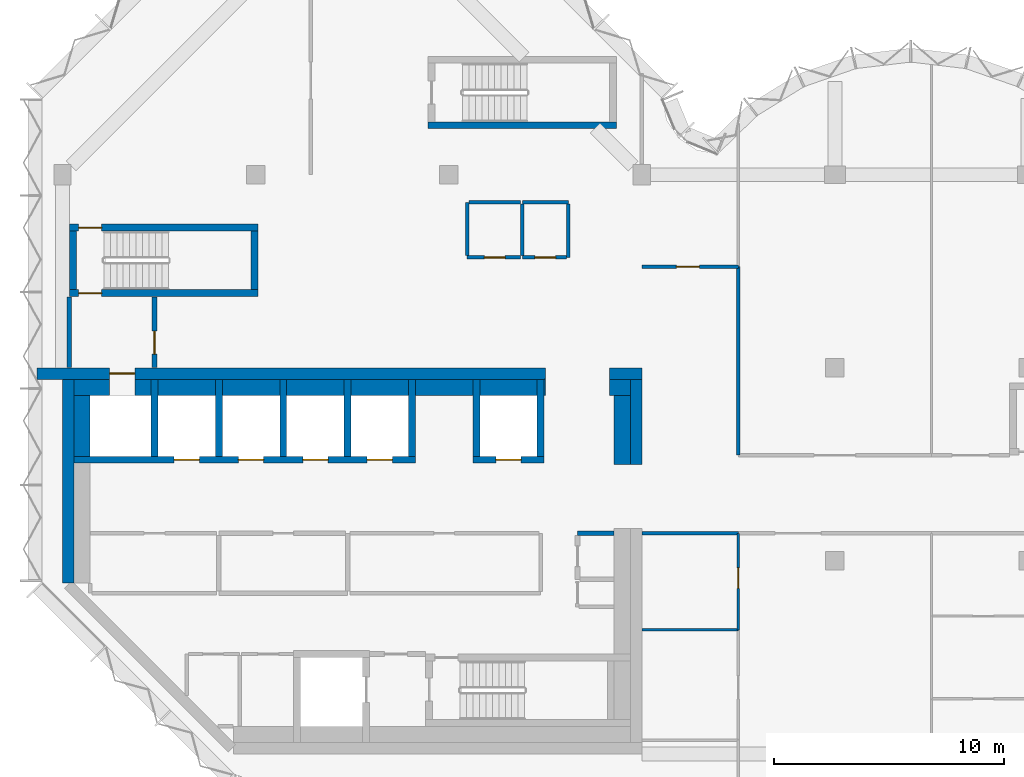
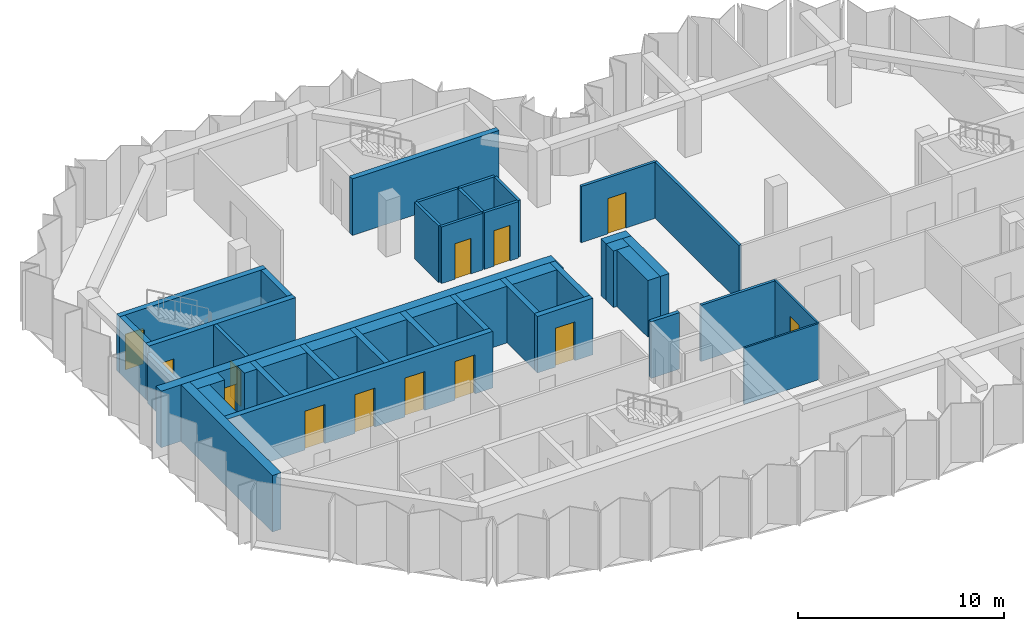
# One storey, part 5 of 9: 45 walls, 13 doors, 13 openings.
"""IFC4 building model written with IfcOpenShell, lengths in metres."""

from ifc_helpers import new_model, si_unit, direction, frame, frame_2d, origin, place, context, subcontext, project, spatial, rectangle, extrude, material, layer, layer_set, type_object, element, fill, save


model = new_model("IFC4")

# Units and contexts
model_context = context("Model", 3, precision=1e-05, world=origin(), true_north=direction((0.0, 1.0)))
body_context = subcontext(model_context, "Body", "Model", "MODEL_VIEW")
ifc_project = project(units=[si_unit("LENGTHUNIT", "METRE"), si_unit("AREAUNIT", "SQUARE_METRE"), si_unit("VOLUMEUNIT", "CUBIC_METRE"), si_unit("PLANEANGLEUNIT", "RADIAN"), si_unit("MASSUNIT", "GRAM", prefix="KILO")], contexts=[model_context])

# Site, building, storey
site_placement = place(None, origin())
site = spatial("IfcSite", under=ifc_project, at=site_placement, CompositionType="ELEMENT")
building_placement = place(site_placement, origin())
building = spatial("IfcBuilding", under=site, at=building_placement, Name="Brevane Broadcast Tower", CompositionType="ELEMENT")
storey_placement = place(building_placement, frame((0.0, 0.0, 222.89990234375)))
storey = spatial("IfcBuildingStorey", under=building, at=storey_placement, Name="L56", CompositionType="ELEMENT", Elevation=222.89990234375)

# Walls
ifc_material_1 = material(Name="Concrete C32/40", Category="concrete")
ifc_layer_1 = layer(ifc_material_1, 0.699951171875)
ifc_layer_set_1 = layer_set([ifc_layer_1], Name="Core chase wall 700 mm")
wall_type_1 = type_object("IfcWallType", Name="Core chase wall 700 mm", PredefinedType="PARTITIONING", material=ifc_layer_set_1)
wall_1_placement = place(storey_placement, frame((24.35009765625, 12.60009765625, 0.0), z_axis=(0.0, 0.0, 1.0), x_axis=(0.0, 1.0, 0.0)))
element("IfcWall", 1, at=wall_1_placement, inside=storey, type_object=wall_type_1, Name="L56 chase wall LE2", PredefinedType="PARTITIONING", context=body_context, shape_type="SweptSolid", body=[
    extrude(rectangle(XDim=3.0, YDim=0.699951171875, at=frame_2d((1.5, 0.0))), origin(), (0.0, 0.0, 1.0), 3.35009765625),
])
wall_2_placement = place(storey_placement, frame((0.5, 15.949951171875, 0.0), z_axis=(0.0, 0.0, 1.0), x_axis=(1.0, 0.0, 0.0)))
element("IfcWall", 2, at=wall_2_placement, inside=storey, type_object=wall_type_1, Name="L56 chase wall LN0", PredefinedType="PARTITIONING", context=body_context, shape_type="SweptSolid", body=[
    extrude(rectangle(XDim=1.550048828125, YDim=0.699951171875, at=frame_2d((0.77490234375, 0.0))), origin(), (0.0, 0.0, 1.0), 3.35009765625),
])
wall_3_placement = place(storey_placement, frame((23.800048828125, 15.949951171875, 0.0), z_axis=(0.0, 0.0, 1.0), x_axis=(1.0, 0.0, 0.0)))
element("IfcWall", 3, at=wall_3_placement, inside=storey, type_object=wall_type_1, Name="L56 chase wall LN2", PredefinedType="PARTITIONING", context=body_context, shape_type="SweptSolid", body=[
    extrude(rectangle(XDim=0.89990234375, YDim=0.699951171875, at=frame_2d((0.449951171875, 0.0))), origin(), (0.0, 0.0, 1.0), 3.35009765625),
])
wall_4_placement = place(storey_placement, frame((0.85009765625, 12.949951171875, 0.0), z_axis=(0.0, 0.0, 1.0), x_axis=(0.0, 1.0, 0.0)))
element("IfcWall", 4, at=wall_4_placement, inside=storey, type_object=wall_type_1, Name="L56 chase wall LW-2", PredefinedType="PARTITIONING", context=body_context, shape_type="SweptSolid", body=[
    extrude(rectangle(XDim=2.650146484375, YDim=0.699951171875, at=frame_2d((1.3251953125, 0.0))), origin(), (0.0, 0.0, 1.0), 3.35009765625),
])
wall_5_placement = place(storey_placement, frame((3.14990234375, 15.949951171875, 0.0), z_axis=(0.0, 0.0, 1.0), x_axis=(1.0, 0.0, 0.0)))
element("IfcWall", 5, at=wall_5_placement, inside=storey, type_object=wall_type_1, Name="L56 chase wall LN1-1", PredefinedType="PARTITIONING", context=body_context, shape_type="SweptSolid", body=[
    extrude(rectangle(XDim=0.7001953125, YDim=0.699951171875, at=frame_2d((0.35009765625, 0.0))), origin(), (0.0, 0.0, 1.0), 3.35009765625),
])
for number, where, z_axis, x_axis, name in (
    (6, (4.14990234375, 15.949951171875, 0.0), (0.0, 0.0, 1.0), (1.0, 0.0, 0.0), "L56 chase wall LN1-2-1"),
    (7, (6.949951171875, 15.949951171875, 0.0), (0.0, 0.0, 1.0), (1.0, 0.0, 0.0), "L56 chase wall LN1-2-2-1"),
    (8, (9.75, 15.949951171875, 0.0), (0.0, 0.0, 1.0), (1.0, 0.0, 0.0), "L56 chase wall LN1-2-2-2-1"),
    (9, (12.550048828125, 15.949951171875, 0.0), (0.0, 0.0, 1.0), (1.0, 0.0, 0.0), "L56 chase wall LN1-2-2-2-2-1"),
    (10, (15.35009765625, 15.949951171875, 0.0), (0.0, 0.0, 1.0), (1.0, 0.0, 0.0), "L56 chase wall LN1-2-2-2-2-2-1"),
    (11, (18.14990234375, 15.949951171875, 0.0), (0.0, 0.0, 1.0), (1.0, 0.0, 0.0), "L56 chase wall LN1-2-2-2-2-2-2-1"),
):
    element("IfcWall", number, at=place(storey_placement, frame(where, z_axis=z_axis, x_axis=x_axis)), inside=storey, type_object=wall_type_1, Name=name, PredefinedType="PARTITIONING", context=body_context, shape_type="SweptSolid", body=[
        extrude(rectangle(XDim=2.5, YDim=0.699951171875, at=frame_2d((1.25, 0.0))), origin(), (0.0, 0.0, 1.0), 3.35009765625),
    ])
wall_6_placement = place(storey_placement, frame((20.949951171875, 15.949951171875, 0.0), z_axis=(0.0, 0.0, 1.0), x_axis=(1.0, 0.0, 0.0)))
element("IfcWall", 12, at=wall_6_placement, inside=storey, type_object=wall_type_1, Name="L56 chase wall LN1-2-2-2-2-2-2-2", PredefinedType="PARTITIONING", context=body_context, shape_type="SweptSolid", body=[
    extrude(rectangle(XDim=0.050048828125, YDim=0.699951171875, at=frame_2d((0.02490234375, 0.0))), origin(), (0.0, 0.0, 1.0), 3.35009765625),
])
ifc_material_2 = material(Name="Gypsum board on steel studs", Category="steel")
ifc_layer_2 = layer(ifc_material_2, 0.14990234375)
ifc_layer_set_2 = layer_set([ifc_layer_2], Name="Core fire partition 150 mm")
wall_type_2 = type_object("IfcWallType", Name="Core fire partition 150 mm", PredefinedType="PARTITIONING", material=ifc_layer_set_2)
wall_7_placement = place(storey_placement, frame((20.0, 24.0, 0.0), z_axis=(0.0, 0.0, 1.0), x_axis=(1.0, 0.0, 0.0)))
element("IfcWall", 13, at=wall_7_placement, inside=storey, type_object=wall_type_2, Name="L56 partition wall P22", PredefinedType="PARTITIONING", context=body_context, shape_type="SweptSolid", body=[
    extrude(rectangle(XDim=2.0, YDim=0.14990234375, at=frame_2d((1.0, 0.0))), origin(), (0.0, 0.0, 1.0), 3.35009765625),
])
wall_8_placement = place(storey_placement, frame((22.0, 23.925048828125, 0.0), z_axis=(0.0, 0.0, 1.0), x_axis=(0.0, -1.0, 0.0)))
element("IfcWall", 14, at=wall_8_placement, inside=storey, type_object=wall_type_2, Name="L56 partition wall P23", PredefinedType="PARTITIONING", context=body_context, shape_type="SweptSolid", body=[
    extrude(rectangle(XDim=2.324951171875, YDim=0.14990234375, at=frame_2d((1.16259765625, 0.0))), origin(), (0.0, 0.0, 1.0), 3.35009765625),
])

# Wall, opening, door
wall_9_placement = place(storey_placement, frame((21.925048828125, 21.60009765625, 0.0), z_axis=(0.0, 0.0, 1.0), x_axis=(-1.0, 0.0, 0.0)))
wall_9 = element("IfcWall", 15, at=wall_9_placement, inside=storey, type_object=wall_type_2, Name="L56 partition wall P24", PredefinedType="PARTITIONING", context=body_context, shape_type="SweptSolid", body=[
    extrude(rectangle(XDim=1.925048828125, YDim=0.14990234375, at=frame_2d((0.96240234375, 0.0))), origin(), (0.0, 0.0, 1.0), 3.35009765625),
])
opening_1_placement = place(wall_9_placement, frame((0.47509765625, 0.0, 0.0)))
opening_1 = element("IfcOpeningElement", 16, at=opening_1_placement, cuts=wall_9, Name="Opening L56-K23", PredefinedType="OPENING", context=body_context, shape_type="SweptSolid", body=[
    extrude(rectangle(XDim=0.89990234375, YDim=2.10009765625, at=frame_2d((0.449951171875, 1.050048828125))), frame((0.0, 0.0849609375, 0.0), z_axis=(0.0, -1.0, 0.0), x_axis=(1.0, 0.0, 0.0)), (0.0, 0.0, 1.0), 0.169921875),
])
ifc_material_3 = material(Name="Timber", Category="wood")
door_type_1 = type_object("IfcDoorType", Name="Toilet door 900 x 2100", OperationType="SINGLE_SWING_LEFT", PredefinedType="DOOR", material=ifc_material_3)
door_1_placement = place(opening_1_placement, origin())
door_1 = element("IfcDoor", 17, at=door_1_placement, inside=storey, type_object=door_type_1, Name="Door L56-K23", OperationType="SINGLE_SWING_RIGHT", OverallHeight=2.10009765625, OverallWidth=0.89990234375, PredefinedType="DOOR", context=body_context, shape_type="SweptSolid", body=[
    extrude(rectangle(XDim=0.89990234375, YDim=2.10009765625, at=frame_2d((0.449951171875, 1.050048828125))), frame((0.0, 0.02490234375, 0.0), z_axis=(0.0, -1.0, 0.0), x_axis=(1.0, 0.0, 0.0)), (0.0, 0.0, 1.0), 0.050048828125),
])
fill(opening_1, door_1)

# Wall
wall_10_placement = place(storey_placement, frame((20.0, 21.675048828125, 0.0), z_axis=(0.0, 0.0, 1.0), x_axis=(0.0, 1.0, 0.0)))
element("IfcWall", 18, at=wall_10_placement, inside=storey, type_object=wall_type_2, Name="L56 partition wall P25", PredefinedType="PARTITIONING", context=body_context, shape_type="SweptSolid", body=[
    extrude(rectangle(XDim=2.25, YDim=0.14990234375, at=frame_2d((1.125, 0.0))), origin(), (0.0, 0.0, 1.0), 3.35009765625),
])

# Wall, opening, door
wall_11_placement = place(storey_placement, frame((19.925048828125, 21.60009765625, 0.0), z_axis=(0.0, 0.0, 1.0), x_axis=(-1.0, 0.0, 0.0)))
wall_11 = element("IfcWall", 19, at=wall_11_placement, inside=storey, type_object=wall_type_2, Name="L56 partition wall P26", PredefinedType="PARTITIONING", context=body_context, shape_type="SweptSolid", body=[
    extrude(rectangle(XDim=2.324951171875, YDim=0.14990234375, at=frame_2d((1.16259765625, 0.0))), origin(), (0.0, 0.0, 1.0), 3.35009765625),
])
opening_2_placement = place(wall_11_placement, frame((0.675048828125, 0.0, 0.0)))
opening_2 = element("IfcOpeningElement", 20, at=opening_2_placement, cuts=wall_11, Name="Opening L56-K24", PredefinedType="OPENING", context=body_context, shape_type="SweptSolid", body=[
    extrude(rectangle(XDim=0.89990234375, YDim=2.10009765625, at=frame_2d((0.449951171875, 1.050048828125))), frame((0.0, 0.0849609375, 0.0), z_axis=(0.0, -1.0, 0.0), x_axis=(1.0, 0.0, 0.0)), (0.0, 0.0, 1.0), 0.169921875),
])
ifc_material_4 = material(Name="Steel", Category="steel")
door_type_2 = type_object("IfcDoorType", Name="Service room door 900 x 2100", OperationType="SINGLE_SWING_LEFT", PredefinedType="DOOR", material=ifc_material_4)
door_2_placement = place(opening_2_placement, origin())
door_2 = element("IfcDoor", 21, at=door_2_placement, inside=storey, type_object=door_type_2, Name="Door L56-K24", OperationType="SINGLE_SWING_LEFT", OverallHeight=2.10009765625, OverallWidth=0.89990234375, PredefinedType="DOOR", context=body_context, shape_type="SweptSolid", body=[
    extrude(rectangle(XDim=0.89990234375, YDim=2.10009765625, at=frame_2d((0.449951171875, 1.050048828125))), frame((0.0, 0.02490234375, 0.0), z_axis=(0.0, -1.0, 0.0), x_axis=(1.0, 0.0, 0.0)), (0.0, 0.0, 1.0), 0.050048828125),
])
fill(opening_2, door_2)

# Walls
wall_12_placement = place(storey_placement, frame((17.60009765625, 21.675048828125, 0.0), z_axis=(0.0, 0.0, 1.0), x_axis=(0.0, 1.0, 0.0)))
element("IfcWall", 22, at=wall_12_placement, inside=storey, type_object=wall_type_2, Name="L56 partition wall P27", PredefinedType="PARTITIONING", context=body_context, shape_type="SweptSolid", body=[
    extrude(rectangle(XDim=2.324951171875, YDim=0.14990234375, at=frame_2d((1.16259765625, 0.0))), origin(), (0.0, 0.0, 1.0), 3.35009765625),
])
wall_13_placement = place(storey_placement, frame((17.675048828125, 24.0, 0.0), z_axis=(0.0, 0.0, 1.0), x_axis=(1.0, 0.0, 0.0)))
element("IfcWall", 23, at=wall_13_placement, inside=storey, type_object=wall_type_2, Name="L56 partition wall P28", PredefinedType="PARTITIONING", context=body_context, shape_type="SweptSolid", body=[
    extrude(rectangle(XDim=2.25, YDim=0.14990234375, at=frame_2d((1.125, 0.0))), origin(), (0.0, 0.0, 1.0), 3.35009765625),
])
ifc_layer_3 = layer(ifc_material_2, 0.199951171875)
ifc_layer_set_3 = layer_set([ifc_layer_3], Name="Core fire partition 200 mm")
wall_type_3 = type_object("IfcWallType", Name="Core fire partition 200 mm", PredefinedType="PARTITIONING", material=ifc_layer_set_3)
wall_14_placement = place(storey_placement, frame((0.300048828125, 16.81201171875, 0.0), z_axis=(0.0, 0.0, 1.0), x_axis=(0.0, 1.0, 0.0)))
element("IfcWall", 24, at=wall_14_placement, inside=storey, type_object=wall_type_3, Name="L56 partition wall P01", PredefinedType="PARTITIONING", context=body_context, shape_type="SweptSolid", body=[
    extrude(rectangle(XDim=3.075927734375, YDim=0.199951171875, at=frame_2d((1.5380859375, 0.0))), origin(), (0.0, 0.0, 1.0), 2.97998046875),
])

# Wall, opening, door
wall_15_placement = place(storey_placement, frame((4.0, 19.887939453125, 0.0), z_axis=(0.0, 0.0, 1.0), x_axis=(0.0, -1.0, 0.0)))
wall_15 = element("IfcWall", 25, at=wall_15_placement, inside=storey, type_object=wall_type_3, Name="L56 partition wall P02", PredefinedType="PARTITIONING", context=body_context, shape_type="SweptSolid", body=[
    extrude(rectangle(XDim=3.075927734375, YDim=0.199951171875, at=frame_2d((1.5380859375, 0.0))), origin(), (0.0, 0.0, 1.0), 3.35009765625),
])
opening_3_placement = place(wall_15_placement, frame((1.488037109375, 0.0, 0.0)))
opening_3 = element("IfcOpeningElement", 26, at=opening_3_placement, cuts=wall_15, Name="Opening L56-K22", PredefinedType="OPENING", context=body_context, shape_type="SweptSolid", body=[
    extrude(rectangle(XDim=1.0, YDim=2.10009765625, at=frame_2d((0.5, 1.050048828125))), frame((0.0, 0.10986328125, 0.0), z_axis=(0.0, -1.0, 0.0), x_axis=(1.0, 0.0, 0.0)), (0.0, 0.0, 1.0), 0.219970703125),
])
door_type_3 = type_object("IfcDoorType", Name="Stair door 1000 x 2100", OperationType="SINGLE_SWING_LEFT", PredefinedType="DOOR", material=ifc_material_4)
door_3_placement = place(opening_3_placement, origin())
door_3 = element("IfcDoor", 27, at=door_3_placement, inside=storey, type_object=door_type_3, Name="Door L56-K22", OperationType="SINGLE_SWING_LEFT", OverallHeight=2.10009765625, OverallWidth=1.0, PredefinedType="DOOR", context=body_context, shape_type="SweptSolid", body=[
    extrude(rectangle(XDim=1.0, YDim=2.10009765625, at=frame_2d((0.5, 1.050048828125))), frame((0.0, 0.02490234375, 0.0), z_axis=(0.0, -1.0, 0.0), x_axis=(1.0, 0.0, 0.0)), (0.0, 0.0, 1.0), 0.050048828125),
])
fill(opening_3, door_3)

# Wall
wall_16_placement = place(storey_placement, frame((23.988037109375, 9.60009765625, 0.0), z_axis=(0.0, 0.0, 1.0), x_axis=(-1.0, 0.0, 0.0)))
element("IfcWall", 28, at=wall_16_placement, inside=storey, type_object=wall_type_3, Name="L56 partition wall P04", PredefinedType="PARTITIONING", context=body_context, shape_type="SweptSolid", body=[
    extrude(rectangle(XDim=1.588134765625, YDim=0.199951171875, at=frame_2d((0.7939453125, 0.0))), origin(), (0.0, 0.0, 1.0), 3.35009765625),
])

# Wall, openings, doors
ifc_material_5 = material(Name="Concrete C50/60", Category="concrete")
ifc_layer_4 = layer(ifc_material_5, 0.300048828125)
ifc_layer_set_4 = layer_set([ifc_layer_4], Name="Core wall 300 mm C50/60")
wall_type_4 = type_object("IfcWallType", Name="Core wall 300 mm C50/60", PredefinedType="SHEAR", material=ifc_layer_set_4)
wall_17_placement = place(storey_placement, frame((0.5, 12.800048828125, 0.0), z_axis=(0.0, 0.0, 1.0), x_axis=(1.0, 0.0, 0.0)))
wall_17 = element("IfcWall", 29, at=wall_17_placement, inside=storey, type_object=wall_type_4, Name="L56 shaft wall SH-N012-front", PredefinedType="SHEAR", context=body_context, shape_type="SweptSolid", body=[
    extrude(rectangle(XDim=14.85009765625, YDim=0.300048828125, at=frame_2d((7.425048828125, 0.0))), origin(), (0.0, 0.0, 1.0), 3.35009765625),
])
opening_4_placement = place(wall_17_placement, frame((4.35009765625, 0.0, 0.0)))
opening_4 = element("IfcOpeningElement", 30, at=opening_4_placement, cuts=wall_17, Name="Opening LD", PredefinedType="OPENING", context=body_context, shape_type="SweptSolid", body=[
    extrude(rectangle(XDim=1.10009765625, YDim=2.300048828125, at=frame_2d((0.550048828125, 1.14990234375))), frame((0.0, 0.159912109375, 0.0), z_axis=(0.0, -1.0, 0.0), x_axis=(1.0, 0.0, 0.0)), (0.0, 0.0, 1.0), 0.320068359375),
])
opening_5_placement = place(wall_17_placement, frame((7.14990234375, 0.0, 0.0)))
opening_5 = element("IfcOpeningElement", 31, at=opening_5_placement, cuts=wall_17, Name="Opening LD", PredefinedType="OPENING", context=body_context, shape_type="SweptSolid", body=[
    extrude(rectangle(XDim=1.10009765625, YDim=2.300048828125, at=frame_2d((0.550048828125, 1.14990234375))), frame((0.0, 0.159912109375, 0.0), z_axis=(0.0, -1.0, 0.0), x_axis=(1.0, 0.0, 0.0)), (0.0, 0.0, 1.0), 0.320068359375),
])
opening_6_placement = place(wall_17_placement, frame((9.949951171875, 0.0, 0.0)))
opening_6 = element("IfcOpeningElement", 32, at=opening_6_placement, cuts=wall_17, Name="Opening LD", PredefinedType="OPENING", context=body_context, shape_type="SweptSolid", body=[
    extrude(rectangle(XDim=1.10009765625, YDim=2.300048828125, at=frame_2d((0.550048828125, 1.14990234375))), frame((0.0, 0.159912109375, 0.0), z_axis=(0.0, -1.0, 0.0), x_axis=(1.0, 0.0, 0.0)), (0.0, 0.0, 1.0), 0.320068359375),
])
opening_7_placement = place(wall_17_placement, frame((12.75, 0.0, 0.0)))
opening_7 = element("IfcOpeningElement", 33, at=opening_7_placement, cuts=wall_17, Name="Opening LD", PredefinedType="OPENING", context=body_context, shape_type="SweptSolid", body=[
    extrude(rectangle(XDim=1.10009765625, YDim=2.300048828125, at=frame_2d((0.550048828125, 1.14990234375))), frame((0.0, 0.159912109375, 0.0), z_axis=(0.0, -1.0, 0.0), x_axis=(1.0, 0.0, 0.0)), (0.0, 0.0, 1.0), 0.320068359375),
])
ifc_material_6 = material(Name="Stainless steel", Category="steel")
door_type_4 = type_object("IfcDoorType", Name="Lift landing door", OperationType="SLIDING_TO_LEFT", PredefinedType="DOOR", material=ifc_material_6)
door_4_placement = place(opening_4_placement, origin())
door_4 = element("IfcDoor", 34, at=door_4_placement, inside=storey, type_object=door_type_4, Name="Landing door HR1 L56", OperationType="SLIDING_TO_LEFT", OverallHeight=2.300048828125, OverallWidth=1.10009765625, PredefinedType="DOOR", context=body_context, shape_type="SweptSolid", body=[
    extrude(rectangle(XDim=1.10009765625, YDim=2.300048828125, at=frame_2d((0.550048828125, 1.14990234375))), frame((0.0, 0.02490234375, 0.0), z_axis=(0.0, -1.0, 0.0), x_axis=(1.0, 0.0, 0.0)), (0.0, 0.0, 1.0), 0.050048828125),
])
fill(opening_4, door_4)
door_5_placement = place(opening_5_placement, origin())
door_5 = element("IfcDoor", 35, at=door_5_placement, inside=storey, type_object=door_type_4, Name="Landing door HR2 L56", OperationType="SLIDING_TO_LEFT", OverallHeight=2.300048828125, OverallWidth=1.10009765625, PredefinedType="DOOR", context=body_context, shape_type="SweptSolid", body=[
    extrude(rectangle(XDim=1.10009765625, YDim=2.300048828125, at=frame_2d((0.550048828125, 1.14990234375))), frame((0.0, 0.02490234375, 0.0), z_axis=(0.0, -1.0, 0.0), x_axis=(1.0, 0.0, 0.0)), (0.0, 0.0, 1.0), 0.050048828125),
])
fill(opening_5, door_5)
door_6_placement = place(opening_6_placement, origin())
door_6 = element("IfcDoor", 36, at=door_6_placement, inside=storey, type_object=door_type_4, Name="Landing door HR3 L56", OperationType="SLIDING_TO_LEFT", OverallHeight=2.300048828125, OverallWidth=1.10009765625, PredefinedType="DOOR", context=body_context, shape_type="SweptSolid", body=[
    extrude(rectangle(XDim=1.10009765625, YDim=2.300048828125, at=frame_2d((0.550048828125, 1.14990234375))), frame((0.0, 0.02490234375, 0.0), z_axis=(0.0, -1.0, 0.0), x_axis=(1.0, 0.0, 0.0)), (0.0, 0.0, 1.0), 0.050048828125),
])
fill(opening_6, door_6)
door_7_placement = place(opening_7_placement, origin())
door_7 = element("IfcDoor", 37, at=door_7_placement, inside=storey, type_object=door_type_4, Name="Landing door HR4 L56", OperationType="SLIDING_TO_LEFT", OverallHeight=2.300048828125, OverallWidth=1.10009765625, PredefinedType="DOOR", context=body_context, shape_type="SweptSolid", body=[
    extrude(rectangle(XDim=1.10009765625, YDim=2.300048828125, at=frame_2d((0.550048828125, 1.14990234375))), frame((0.0, 0.02490234375, 0.0), z_axis=(0.0, -1.0, 0.0), x_axis=(1.0, 0.0, 0.0)), (0.0, 0.0, 1.0), 0.050048828125),
])
fill(opening_7, door_7)

# Walls
for number, where, z_axis, x_axis, name in (
    (38, (4.0, 12.949951171875, 0.0), (0.0, 0.0, 1.0), (0.0, 1.0, 0.0), "L56 shaft wall SH-N-P040"),
    (39, (6.800048828125, 12.949951171875, 0.0), (0.0, 0.0, 1.0), (0.0, 1.0, 0.0), "L56 shaft wall SH-N-P068"),
    (40, (9.60009765625, 12.949951171875, 0.0), (0.0, 0.0, 1.0), (0.0, 1.0, 0.0), "L56 shaft wall SH-N-P096"),
    (41, (12.39990234375, 12.949951171875, 0.0), (0.0, 0.0, 1.0), (0.0, 1.0, 0.0), "L56 shaft wall SH-N-P124"),
    (42, (15.199951171875, 12.949951171875, 0.0), (0.0, 0.0, 1.0), (0.0, 1.0, 0.0), "L56 shaft wall SH-N-P152"),
):
    element("IfcWall", number, at=place(storey_placement, frame(where, z_axis=z_axis, x_axis=x_axis)), inside=storey, type_object=wall_type_4, Name=name, PredefinedType="SHEAR", context=body_context, shape_type="SweptSolid", body=[
        extrude(rectangle(XDim=3.35009765625, YDim=0.300048828125, at=frame_2d((1.675048828125, 0.0))), origin(), (0.0, 0.0, 1.0), 3.35009765625),
    ])

# Wall, opening, door
wall_18_placement = place(storey_placement, frame((17.85009765625, 12.800048828125, 0.0), z_axis=(0.0, 0.0, 1.0), x_axis=(1.0, 0.0, 0.0)))
wall_18 = element("IfcWall", 43, at=wall_18_placement, inside=storey, type_object=wall_type_4, Name="L56 shaft wall SH-N180-front", PredefinedType="SHEAR", context=body_context, shape_type="SweptSolid", body=[
    extrude(rectangle(XDim=3.099853515625, YDim=0.300048828125, at=frame_2d((1.5498046875, 0.0))), origin(), (0.0, 0.0, 1.0), 3.35009765625),
])
opening_8_placement = place(wall_18_placement, frame((1.0, 0.0, 0.0)))
opening_8 = element("IfcOpeningElement", 44, at=opening_8_placement, cuts=wall_18, Name="Opening LD", PredefinedType="OPENING", context=body_context, shape_type="SweptSolid", body=[
    extrude(rectangle(XDim=1.10009765625, YDim=2.300048828125, at=frame_2d((0.550048828125, 1.14990234375))), frame((0.0, 0.159912109375, 0.0), z_axis=(0.0, -1.0, 0.0), x_axis=(1.0, 0.0, 0.0)), (0.0, 0.0, 1.0), 0.320068359375),
])
door_8_placement = place(opening_8_placement, origin())
door_8 = element("IfcDoor", 45, at=door_8_placement, inside=storey, type_object=door_type_4, Name="Landing door SL1 L56", OperationType="SLIDING_TO_LEFT", OverallHeight=2.300048828125, OverallWidth=1.10009765625, PredefinedType="DOOR", context=body_context, shape_type="SweptSolid", body=[
    extrude(rectangle(XDim=1.10009765625, YDim=2.300048828125, at=frame_2d((0.550048828125, 1.14990234375))), frame((0.0, 0.02490234375, 0.0), z_axis=(0.0, -1.0, 0.0), x_axis=(1.0, 0.0, 0.0)), (0.0, 0.0, 1.0), 0.050048828125),
])
fill(opening_8, door_8)

# Walls
for number, where, z_axis, x_axis, name in (
    (46, (18.0, 12.949951171875, 0.0), (0.0, 0.0, 1.0), (0.0, 1.0, 0.0), "L56 shaft wall SH-N-P180"),
    (47, (20.800048828125, 12.949951171875, 0.0), (0.0, 0.0, 1.0), (0.0, 1.0, 0.0), "L56 shaft wall SH-N-P208"),
):
    element("IfcWall", number, at=place(storey_placement, frame(where, z_axis=z_axis, x_axis=x_axis)), inside=storey, type_object=wall_type_4, Name=name, PredefinedType="SHEAR", context=body_context, shape_type="SweptSolid", body=[
        extrude(rectangle(XDim=3.35009765625, YDim=0.300048828125, at=frame_2d((1.675048828125, 0.0))), origin(), (0.0, 0.0, 1.0), 3.35009765625),
    ])

# Wall, opening, door
wall_19_placement = place(storey_placement, frame((8.5, 20.050048828125, 0.0), z_axis=(0.0, 0.0, 1.0), x_axis=(-1.0, 0.0, 0.0)))
wall_19 = element("IfcWall", 48, at=wall_19_placement, inside=storey, type_object=wall_type_4, Name="L56 stair wall ST-1-S", PredefinedType="SHEAR", context=body_context, shape_type="SweptSolid", body=[
    extrude(rectangle(XDim=8.199951171875, YDim=0.300048828125, at=frame_2d((4.10009765625, 0.0))), origin(), (0.0, 0.0, 1.0), 3.35009765625),
])
opening_9_placement = place(wall_19_placement, frame((6.800048828125, 0.0, 0.0)))
opening_9 = element("IfcOpeningElement", 49, at=opening_9_placement, cuts=wall_19, Name="Opening L56-K08", PredefinedType="OPENING", context=body_context, shape_type="SweptSolid", body=[
    extrude(rectangle(XDim=1.0, YDim=2.10009765625, at=frame_2d((0.5, 1.050048828125))), frame((0.0, 0.159912109375, 0.0), z_axis=(0.0, -1.0, 0.0), x_axis=(1.0, 0.0, 0.0)), (0.0, 0.0, 1.0), 0.320068359375),
])
door_9_placement = place(opening_9_placement, origin())
door_9 = element("IfcDoor", 50, at=door_9_placement, inside=storey, type_object=door_type_3, Name="Door L56-K08", OperationType="SINGLE_SWING_LEFT", OverallHeight=2.10009765625, OverallWidth=1.0, PredefinedType="DOOR", context=body_context, shape_type="SweptSolid", body=[
    extrude(rectangle(XDim=1.0, YDim=2.10009765625, at=frame_2d((0.5, 1.050048828125))), frame((0.0, 0.02490234375, 0.0), z_axis=(0.0, -1.0, 0.0), x_axis=(1.0, 0.0, 0.0)), (0.0, 0.0, 1.0), 0.050048828125),
])
fill(opening_9, door_9)

wall_20_placement = place(storey_placement, frame((0.300048828125, 22.89990234375, 0.0), z_axis=(0.0, 0.0, 1.0), x_axis=(1.0, 0.0, 0.0)))
wall_20 = element("IfcWall", 51, at=wall_20_placement, inside=storey, type_object=wall_type_4, Name="L56 stair wall ST-1-N", PredefinedType="SHEAR", context=body_context, shape_type="SweptSolid", body=[
    extrude(rectangle(XDim=8.199951171875, YDim=0.300048828125, at=frame_2d((4.10009765625, 0.0))), origin(), (0.0, 0.0, 1.0), 3.35009765625),
])
opening_10_placement = place(wall_20_placement, frame((0.39990234375, 0.0, 0.0)))
opening_10 = element("IfcOpeningElement", 52, at=opening_10_placement, cuts=wall_20, Name="Opening L56-K09", PredefinedType="OPENING", context=body_context, shape_type="SweptSolid", body=[
    extrude(rectangle(XDim=1.0, YDim=2.10009765625, at=frame_2d((0.5, 1.050048828125))), frame((0.0, 0.159912109375, 0.0), z_axis=(0.0, -1.0, 0.0), x_axis=(1.0, 0.0, 0.0)), (0.0, 0.0, 1.0), 0.320068359375),
])
door_10_placement = place(opening_10_placement, origin())
door_10 = element("IfcDoor", 53, at=door_10_placement, inside=storey, type_object=door_type_3, Name="Door L56-K09", OperationType="SINGLE_SWING_RIGHT", OverallHeight=2.10009765625, OverallWidth=1.0, PredefinedType="DOOR", context=body_context, shape_type="SweptSolid", body=[
    extrude(rectangle(XDim=1.0, YDim=2.10009765625, at=frame_2d((0.5, 1.050048828125))), frame((0.0, 0.02490234375, 0.0), z_axis=(0.0, -1.0, 0.0), x_axis=(1.0, 0.0, 0.0)), (0.0, 0.0, 1.0), 0.050048828125),
])
fill(opening_10, door_10)

# Walls
for number, where, z_axis, x_axis, name in (
    (54, (0.449951171875, 20.199951171875, 0.0), (0.0, 0.0, 1.0), (0.0, 1.0, 0.0), "L56 stair wall ST-1-W"),
    (55, (8.35009765625, 20.199951171875, 0.0), (0.0, 0.0, 1.0), (0.0, 1.0, 0.0), "L56 stair wall ST-1-E"),
):
    element("IfcWall", number, at=place(storey_placement, frame(where, z_axis=z_axis, x_axis=x_axis)), inside=storey, type_object=wall_type_4, Name=name, PredefinedType="SHEAR", context=body_context, shape_type="SweptSolid", body=[
        extrude(rectangle(XDim=2.550048828125, YDim=0.300048828125, at=frame_2d((1.27490234375, 0.0))), origin(), (0.0, 0.0, 1.0), 3.35009765625),
    ])
wall_21_placement = place(storey_placement, frame((15.89990234375, 27.35009765625, 0.0), z_axis=(0.0, 0.0, 1.0), x_axis=(1.0, 0.0, 0.0)))
element("IfcWall", 56, at=wall_21_placement, inside=storey, type_object=wall_type_4, Name="L56 stair wall ST-3-S", PredefinedType="SHEAR", context=body_context, shape_type="SweptSolid", body=[
    extrude(rectangle(XDim=8.2001953125, YDim=0.300048828125, at=frame_2d((4.10009765625, 0.0))), origin(), (0.0, 0.0, 1.0), 3.35009765625),
])

# Wall, opening, door
ifc_layer_5 = layer(ifc_material_5, 0.5)
ifc_layer_set_5 = layer_set([ifc_layer_5], Name="Core wall 500 mm C50/60")
wall_type_5 = type_object("IfcWallType", Name="Core wall 500 mm C50/60", PredefinedType="SHEAR", material=ifc_layer_set_5)
wall_22_placement = place(storey_placement, frame((-1.10009765625, 16.550048828125, 0.0), z_axis=(0.0, 0.0, 1.0), x_axis=(1.0, 0.0, 0.0)))
wall_22 = element("IfcWall", 57, at=wall_22_placement, inside=storey, type_object=wall_type_5, Name="L56 outer wall WN1", PredefinedType="SHEAR", context=body_context, shape_type="SweptSolid", body=[
    extrude(rectangle(XDim=22.10009765625, YDim=0.5, at=frame_2d((11.050048828125, 0.0))), origin(), (0.0, 0.0, 1.0), 3.35009765625),
])
opening_11_placement = place(wall_22_placement, frame((3.14990234375, 0.0, 0.0)))
opening_11 = element("IfcOpeningElement", 58, at=opening_11_placement, cuts=wall_22, Name="Opening LD", PredefinedType="OPENING", context=body_context, shape_type="SweptSolid", body=[
    extrude(rectangle(XDim=1.10009765625, YDim=2.300048828125, at=frame_2d((0.550048828125, 1.14990234375))), frame((0.0, 0.260009765625, 0.0), z_axis=(0.0, -1.0, 0.0), x_axis=(1.0, 0.0, 0.0)), (0.0, 0.0, 1.0), 0.52001953125),
])
door_11_placement = place(opening_11_placement, origin())
door_11 = element("IfcDoor", 59, at=door_11_placement, inside=storey, type_object=door_type_4, Name="Landing door FF1 L56", OperationType="SLIDING_TO_LEFT", OverallHeight=2.300048828125, OverallWidth=1.10009765625, PredefinedType="DOOR", context=body_context, shape_type="SweptSolid", body=[
    extrude(rectangle(XDim=1.10009765625, YDim=2.300048828125, at=frame_2d((0.550048828125, 1.14990234375))), frame((0.0, 0.02490234375, 0.0), z_axis=(0.0, -1.0, 0.0), x_axis=(1.0, 0.0, 0.0)), (0.0, 0.0, 1.0), 0.050048828125),
])
fill(opening_11, door_11)

# Walls
wall_23_placement = place(storey_placement, frame((23.800048828125, 16.550048828125, 0.0), z_axis=(0.0, 0.0, 1.0), x_axis=(1.0, 0.0, 0.0)))
element("IfcWall", 60, at=wall_23_placement, inside=storey, type_object=wall_type_5, Name="L56 outer wall WN2", PredefinedType="SHEAR", context=body_context, shape_type="SweptSolid", body=[
    extrude(rectangle(XDim=1.39990234375, YDim=0.5, at=frame_2d((0.699951171875, 0.0))), origin(), (0.0, 0.0, 1.0), 3.35009765625),
])
wall_24_placement = place(storey_placement, frame((0.25, 7.436279296875, 0.0), z_axis=(0.0, 0.0, 1.0), x_axis=(0.0, 1.0, 0.0)))
element("IfcWall", 61, at=wall_24_placement, inside=storey, type_object=wall_type_5, Name="L56 outer wall WW", PredefinedType="SHEAR", context=body_context, shape_type="SweptSolid", body=[
    extrude(rectangle(XDim=8.86376953125, YDim=0.5, at=frame_2d((4.431884765625, 0.0))), origin(), (0.0, 0.0, 1.0), 3.35009765625),
])
wall_25_placement = place(storey_placement, frame((24.949951171875, 12.60009765625, 0.0), z_axis=(0.0, 0.0, 1.0), x_axis=(0.0, 1.0, 0.0)))
element("IfcWall", 62, at=wall_25_placement, inside=storey, type_object=wall_type_5, Name="L56 outer wall WE2", PredefinedType="SHEAR", context=body_context, shape_type="SweptSolid", body=[
    extrude(rectangle(XDim=3.699951171875, YDim=0.5, at=frame_2d((1.85009765625, 0.0))), origin(), (0.0, 0.0, 1.0), 3.35009765625),
])

# Wall, opening, door
ifc_material_7 = material(Name="Gypsum board partition")
ifc_layer_6 = layer(ifc_material_7, 0.10009765625)
ifc_layer_set_6 = layer_set([ifc_layer_6], Name="PARTITION 100 STUD")
wall_type_6 = type_object("IfcWallType", Name="PARTITION 100 STUD", PredefinedType="PARTITIONING", material=ifc_layer_set_6)
wall_26_placement = place(storey_placement, frame((29.39990234375, 5.39990234375, 0.0), z_axis=(0.0, 0.0, 1.0), x_axis=(0.0, 1.0, 0.0)))
wall_26 = element("IfcWall", 63, at=wall_26_placement, inside=storey, type_object=wall_type_6, Name="Partition G17-020", PredefinedType="PARTITIONING", context=body_context, shape_type="SweptSolid", body=[
    extrude(rectangle(XDim=4.2001953125, YDim=0.10009765625, at=frame_2d((2.10009765625, 0.0))), origin(), (0.0, 0.0, 1.0), 3.330078125),
])
opening_12_placement = place(wall_26_placement, frame((1.800048828125, 0.0, 0.0)))
opening_12 = element("IfcOpeningElement", 64, at=opening_12_placement, cuts=wall_26, Name="Opening D28-009", PredefinedType="OPENING", context=body_context, shape_type="SweptSolid", body=[
    extrude(rectangle(XDim=0.89990234375, YDim=2.10009765625, at=frame_2d((0.449951171875, 1.050048828125))), frame((0.0, 0.06005859375, 0.0), z_axis=(0.0, -1.0, 0.0), x_axis=(1.0, 0.0, 0.0)), (0.0, 0.0, 1.0), 0.1201171875),
])
ifc_material_8 = material(Name="Timber door leaf", Category="wood")
door_type_5 = type_object("IfcDoorType", Name="DOOR SINGLE 900 INTERNAL", OperationType="SINGLE_SWING_LEFT", PredefinedType="DOOR", material=ifc_material_8)
door_12_placement = place(opening_12_placement, origin())
door_12 = element("IfcDoor", 65, at=door_12_placement, inside=storey, type_object=door_type_5, Name="Door D28-009", OperationType="SINGLE_SWING_LEFT", OverallHeight=2.10009765625, OverallWidth=0.89990234375, PredefinedType="DOOR", context=body_context, shape_type="SweptSolid", body=[
    extrude(rectangle(XDim=0.89990234375, YDim=2.10009765625, at=frame_2d((0.449951171875, 1.050048828125))), frame((0.0, 0.02490234375, 0.0), z_axis=(0.0, -1.0, 0.0), x_axis=(1.0, 0.0, 0.0)), (0.0, 0.0, 1.0), 0.050048828125),
])
fill(opening_12, door_12)

# Wall
wall_27_placement = place(storey_placement, frame((25.199951171875, 5.39990234375, 0.0), z_axis=(0.0, 0.0, 1.0), x_axis=(1.0, 0.0, 0.0)))
element("IfcWall", 66, at=wall_27_placement, inside=storey, type_object=wall_type_6, Name="Partition G17-029", PredefinedType="PARTITIONING", context=body_context, shape_type="SweptSolid", body=[
    extrude(rectangle(XDim=4.199951171875, YDim=0.10009765625, at=frame_2d((2.10009765625, 0.0))), origin(), (0.0, 0.0, 1.0), 3.330078125),
])

# Wall, opening, door
ifc_layer_7 = layer(ifc_material_7, 0.14990234375)
ifc_layer_set_7 = layer_set([ifc_layer_7], Name="PARTITION 150 EI 60")
wall_type_7 = type_object("IfcWallType", Name="PARTITION 150 EI 60", PredefinedType="PARTITIONING", material=ifc_layer_set_7)
wall_28_placement = place(storey_placement, frame((25.199951171875, 21.199951171875, 0.0), z_axis=(0.0, 0.0, 1.0), x_axis=(1.0, 0.0, 0.0)))
wall_28 = element("IfcWall", 67, at=wall_28_placement, inside=storey, type_object=wall_type_7, Name="Partition G17-001", PredefinedType="PARTITIONING", context=body_context, shape_type="SweptSolid", body=[
    extrude(rectangle(XDim=4.199951171875, YDim=0.14990234375, at=frame_2d((2.10009765625, 0.0))), origin(), (0.0, 0.0, 1.0), 3.330078125),
])
opening_13_placement = place(wall_28_placement, frame((1.5, 0.0, 0.0)))
opening_13 = element("IfcOpeningElement", 68, at=opening_13_placement, cuts=wall_28, Name="Opening D28-001", PredefinedType="OPENING", context=body_context, shape_type="SweptSolid", body=[
    extrude(rectangle(XDim=1.0, YDim=2.10009765625, at=frame_2d((0.5, 1.050048828125))), frame((0.0, 0.0849609375, 0.0), z_axis=(0.0, -1.0, 0.0), x_axis=(1.0, 0.0, 0.0)), (0.0, 0.0, 1.0), 0.169921875),
])
ifc_material_9 = material(Name="Fire-rated timber door leaf", Category="wood")
door_type_6 = type_object("IfcDoorType", Name="DOOR SINGLE 1000 FD30S", OperationType="SINGLE_SWING_LEFT", PredefinedType="DOOR", material=ifc_material_9)
door_13_placement = place(opening_13_placement, origin())
door_13 = element("IfcDoor", 69, at=door_13_placement, inside=storey, type_object=door_type_6, Name="Door D28-001", OperationType="SINGLE_SWING_LEFT", OverallHeight=2.10009765625, OverallWidth=1.0, PredefinedType="DOOR", context=body_context, shape_type="SweptSolid", body=[
    extrude(rectangle(XDim=1.0, YDim=2.10009765625, at=frame_2d((0.5, 1.050048828125))), frame((0.0, 0.02490234375, 0.0), z_axis=(0.0, -1.0, 0.0), x_axis=(1.0, 0.0, 0.0)), (0.0, 0.0, 1.0), 0.050048828125),
])
fill(opening_13, door_13)

# Walls
wall_29_placement = place(storey_placement, frame((29.39990234375, 9.60009765625, 0.0), z_axis=(0.0, 0.0, 1.0), x_axis=(-1.0, 0.0, 0.0)))
element("IfcWall", 70, at=wall_29_placement, inside=storey, type_object=wall_type_7, Name="Partition G17-002", PredefinedType="PARTITIONING", context=body_context, shape_type="SweptSolid", body=[
    extrude(rectangle(XDim=4.199951171875, YDim=0.14990234375, at=frame_2d((2.10009765625, 0.0))), origin(), (0.0, 0.0, 1.0), 3.330078125),
])
wall_30_placement = place(storey_placement, frame((29.39990234375, 21.199951171875, 0.0), z_axis=(0.0, 0.0, 1.0), x_axis=(0.0, -1.0, 0.0)))
element("IfcWall", 71, at=wall_30_placement, inside=storey, type_object=wall_type_7, Name="Partition G17-003", PredefinedType="PARTITIONING", context=body_context, shape_type="SweptSolid", body=[
    extrude(rectangle(XDim=8.199951171875, YDim=0.14990234375, at=frame_2d((4.10009765625, 0.0))), origin(), (0.0, 0.0, 1.0), 3.330078125),
])

save(model, "model.ifc")
